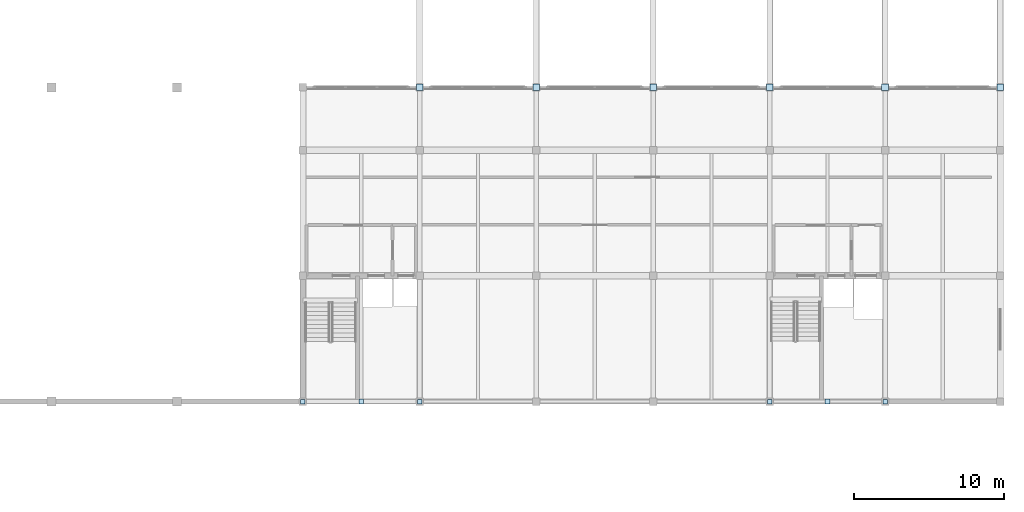
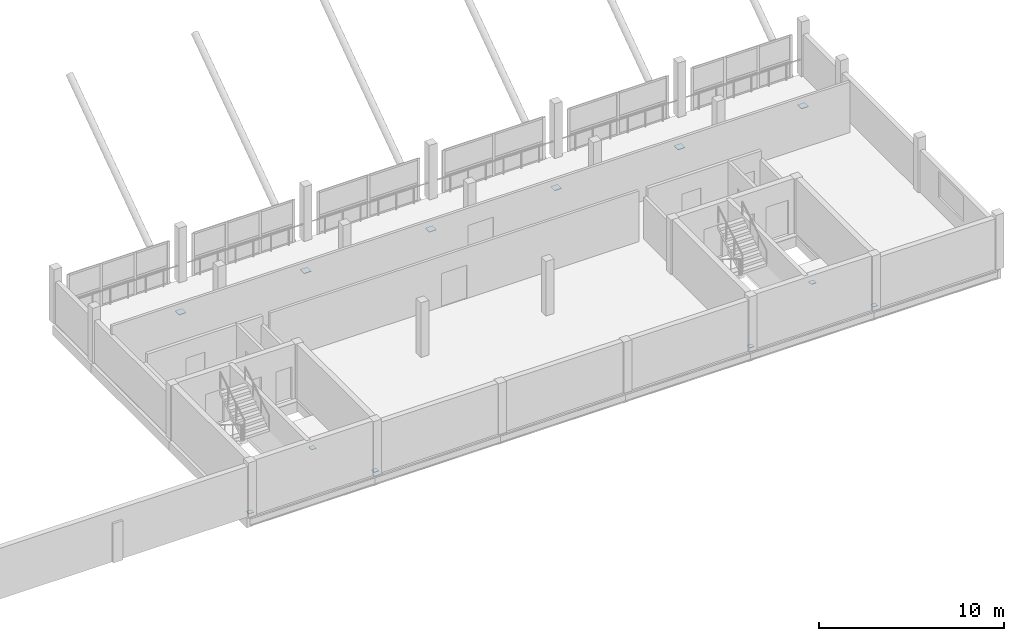
# One storey, part 34 of 51: 12 plates.
"""IFC4 building model written with IfcOpenShell, lengths in metres."""

import ifcopenshell
import ifcopenshell.guid

model = None  # the IFC model being written
_history = None  # IfcOwnerHistory: only IFC2X3 demands one
_inside = {}  # id of a spatial element -> (the spatial element, [elements in it])
_under = {}  # id of a project, library or spatial element -> (it, [spatial elements below it])
_declared = {}  # id of a project -> (the project, [libraries it declares])
_typed = {}  # id of a type object -> (the type object, [elements of that type])
_made_of = {}  # id of a material, layer set ... -> (it, [elements and type objects made of it])


def new_model(schema):
    """Start an empty IFC model of exactly this schema.

    Asked for "IFC4X3", IfcOpenShell would pick the latest addendum, in which some entities
    have other attributes; the version numbers below select the first issue.
    IFC2X3 requires an IfcOwnerHistory on every rooted entity: one is made here for all.
    """
    global model, _history
    if schema == "IFC4X3":
        model = ifcopenshell.file(schema_version=(4, 3, 0, 0))
    else:
        model = ifcopenshell.file(schema=schema)
    _inside.clear()
    _under.clear()
    _declared.clear()
    _typed.clear()
    _made_of.clear()
    _history = None
    if model.schema == "IFC2X3":
        org = make("IfcOrganization", Name="unknown")
        user = make(
            "IfcPersonAndOrganization",
            ThePerson=make("IfcPerson", FamilyName="unknown"),
            TheOrganization=org,
        )
        app = make(
            "IfcApplication",
            ApplicationDeveloper=org,
            Version="unknown",
            ApplicationFullName="unknown",
            ApplicationIdentifier="unknown",
        )
        _history = make(
            "IfcOwnerHistory",
            OwningUser=user,
            OwningApplication=app,
            ChangeAction="ADDED",
            CreationDate=0,
        )
    return model


def make(cls, **values):
    """One entity of the class cls with the attributes given. An attribute that is None is left unset."""
    return model.create_entity(
        cls, **{name: value for name, value in values.items() if value is not None}
    )


def rooted(cls, **values):
    """An entity with a GlobalId (a new one), such as an element, a storey or a relation."""
    return make(cls, GlobalId=ifcopenshell.guid.new(), OwnerHistory=_history, **values)


def si_unit(unit_type, name, prefix=None):
    """IfcSIUnit, for example si_unit("LENGTHUNIT", "METRE", prefix="MILLI")."""
    return make("IfcSIUnit", UnitType=unit_type, Prefix=prefix, Name=name)


def assignment(units):
    """IfcUnitAssignment: the units of a project."""
    return None if units is None else make("IfcUnitAssignment", Units=units)


def point(xyz):
    """IfcCartesianPoint."""
    return None if xyz is None else make("IfcCartesianPoint", Coordinates=xyz)


def direction(xyz):
    """IfcDirection."""
    return None if xyz is None else make("IfcDirection", DirectionRatios=xyz)


def frame(location, z_axis=None, x_axis=None):
    """IfcAxis2Placement3D, a coordinate frame: its origin and axes. An axis left out is left unset."""
    return make(
        "IfcAxis2Placement3D",
        Location=point(location),
        Axis=direction(z_axis),
        RefDirection=direction(x_axis),
    )


def frame_2d(location, x_axis=None):
    """IfcAxis2Placement2D, a coordinate frame in the plane: its origin and x axis."""
    return make(
        "IfcAxis2Placement2D", Location=point(location), RefDirection=direction(x_axis)
    )


def origin():
    """The frame at (0, 0, 0) with its axes left unset."""
    return frame((0.0, 0.0, 0.0))


def origin_2d():
    """The frame at (0, 0) in the plane with its x axis left unset."""
    return frame_2d((0.0, 0.0))


def place(relative_to, where):
    """IfcLocalPlacement: puts the frame where relative to a parent placement (None: the world)."""
    return make(
        "IfcLocalPlacement", PlacementRelTo=relative_to, RelativePlacement=where
    )


def context(
    kind, dimensions, precision=None, world=None, true_north=None, identifier=None
):
    """IfcGeometricRepresentationContext, for example the 3D "Model" context."""
    return make(
        "IfcGeometricRepresentationContext",
        ContextIdentifier=identifier,
        ContextType=kind,
        CoordinateSpaceDimension=dimensions,
        Precision=precision,
        WorldCoordinateSystem=world,
        TrueNorth=true_north,
    )


def subcontext(parent, identifier, kind, view, scale=None):
    """IfcGeometricRepresentationSubContext, for example "Body" below "Model"."""
    return make(
        "IfcGeometricRepresentationSubContext",
        ContextIdentifier=identifier,
        ContextType=kind,
        ParentContext=parent,
        TargetScale=scale,
        TargetView=view,
    )


def project(units=None, contexts=None):
    """IfcProject with its units and contexts."""
    return rooted(
        "IfcProject",
        Name="project",
        RepresentationContexts=contexts,
        UnitsInContext=assignment(units),
    )


def spatial(cls, under=None, at=None, **own):
    """A site, building, storey or space (cls), placed at a placement, below another one or the project."""
    s = rooted(cls, ObjectPlacement=at, **own)
    if under is not None:
        _under.setdefault(under.id(), (under, []))[1].append(s)
    return s


def profile(cls, at=None, kind="AREA", **sizes):
    """A parametric profile (cls). Its sizes go by their IFC names, for example OverallWidth=200.0."""
    return make(cls, ProfileType=kind, Position=at, **sizes)


def rectangle(**sizes):
    """IfcRectangleProfileDef."""
    return profile("IfcRectangleProfileDef", **sizes)


def extrude(swept, where, along, depth):
    """IfcExtrudedAreaSolid: the profile swept, set in the frame where, extruded along a direction by depth."""
    return make(
        "IfcExtrudedAreaSolid",
        SweptArea=swept,
        Position=where,
        ExtrudedDirection=direction(along),
        Depth=depth,
    )


def shape(context_of_items, identifier, shape_type, items):
    """IfcShapeRepresentation: the items that make up one representation, for example the "Body"."""
    return make(
        "IfcShapeRepresentation",
        ContextOfItems=context_of_items,
        RepresentationIdentifier=identifier,
        RepresentationType=shape_type,
        Items=items,
    )


def material(Name=None, Category=None):
    """IfcMaterial."""
    return make("IfcMaterial", Name=Name, Category=Category)


def layer(
    of_material, thickness, ventilated=None, Name=None, Category=None, Priority=None
):
    """IfcMaterialLayer: one layer of a wall or slab, of a material (None: an air gap)."""
    return make(
        "IfcMaterialLayer",
        Material=of_material,
        LayerThickness=thickness,
        IsVentilated=ventilated,
        Name=Name,
        Category=Category,
        Priority=Priority,
    )


def layer_set(layers, Name=None):
    """IfcMaterialLayerSet."""
    return make("IfcMaterialLayerSet", MaterialLayers=layers, LayerSetName=Name)


def made_of(thing, what):
    """Note that an element or type object is made of a material, layer set ...; save() writes the relation."""
    if what is not None:
        _made_of.setdefault(what.id(), (what, []))[1].append(thing)
    return thing


def type_object(cls, material=None, **own):
    """A type object (cls), such as IfcWallType, which elements share."""
    return made_of(rooted(cls, **own), material)


def element(
    cls,
    number,
    at=None,
    inside=None,
    cuts=None,
    type_object=None,
    material=None,
    context=None,
    identifier="Body",
    shape_type=None,
    held_by="IfcProductDefinitionShape",
    body=None,
    shapes=None,
    **own,
):
    """One element of the class cls, such as IfcWall. Its Tag is "e" and its number.

    at: its placement. inside: the storey or other place that contains it. cuts: it is an
    opening in that element (IfcRelVoidsElement). A single representation is given by context,
    identifier, shape_type and body (its items); several are given by shapes. held_by: the class
    of the entity that holds the representations. save() writes the other relations.
    """
    e = rooted(cls, Tag="e%d" % number, ObjectPlacement=at, **own)
    if body is not None:
        shapes = [shape(context, identifier, shape_type, body)]
    if shapes is not None:
        e.Representation = make(held_by, Representations=shapes)
    if inside is not None:
        _inside.setdefault(inside.id(), (inside, []))[1].append(e)
    if cuts is not None:
        rooted(
            "IfcRelVoidsElement", RelatingBuildingElement=cuts, RelatedOpeningElement=e
        )
    if type_object is not None:
        _typed.setdefault(type_object.id(), (type_object, []))[1].append(e)
    return made_of(e, material)


def aggregate(whole, parts):
    """IfcRelAggregates: a whole, such as a stair, and the parts it consists of."""
    return rooted("IfcRelAggregates", RelatingObject=whole, RelatedObjects=parts)


def save(model, path):
    """Write the relations noted so far, then the file.

    IfcRelAggregates (storeys below a building ...), IfcRelContainedInSpatialStructure (elements
    in a storey), IfcRelDefinesByType, IfcRelAssociatesMaterial and IfcRelDeclares: one each for
    every whole, place, type object, material and project.
    """
    for whole, parts in _under.values():
        aggregate(whole, parts)
    for where, things in _inside.values():
        rooted(
            "IfcRelContainedInSpatialStructure",
            RelatedElements=things,
            RelatingStructure=where,
        )
    for kind, things in _typed.values():
        rooted("IfcRelDefinesByType", RelatedObjects=things, RelatingType=kind)
    for what, things in _made_of.values():
        rooted("IfcRelAssociatesMaterial", RelatedObjects=things, RelatingMaterial=what)
    for by, libraries in _declared.values():
        rooted("IfcRelDeclares", RelatingContext=by, RelatedDefinitions=libraries)
    model.write(path)


model = new_model("IFC4")

# Units and contexts
model_context = context("Model", 3, precision=1e-05, world=origin(), true_north=direction((0.0, 1.0)))
body_context = subcontext(model_context, "Body", "Model", "MODEL_VIEW")
ifc_project = project(units=[si_unit("LENGTHUNIT", "METRE"), si_unit("AREAUNIT", "SQUARE_METRE"), si_unit("VOLUMEUNIT", "CUBIC_METRE"), si_unit("PLANEANGLEUNIT", "RADIAN"), si_unit("MASSUNIT", "GRAM", prefix="KILO")], contexts=[model_context])

# Site, building, storey
site_placement = place(None, origin())
site = spatial("IfcSite", under=ifc_project, at=site_placement, CompositionType="ELEMENT")
building_placement = place(site_placement, origin())
building = spatial("IfcBuilding", under=site, at=building_placement, Name="Vharandega Faculty of Natural Sciences", CompositionType="ELEMENT")
storey_placement = place(building_placement, frame((0.0, 0.0, 14.39990234375)))
storey = spatial("IfcBuildingStorey", under=building, at=storey_placement, Name="L03", CompositionType="ELEMENT", Elevation=14.39990234375)

# Plates
ifc_material_1 = material(Name="Steel S355", Category="steel")
ifc_layer_1 = layer(ifc_material_1, 0.02490234375, Name="Steel S355")
ifc_layer_set_1 = layer_set([ifc_layer_1], Name="Steel S355")
plate_type_1 = type_object("IfcPlateType", Name="Hollow Section End Cap Plate 25mm", PredefinedType="USERDEFINED", material=ifc_layer_set_1)
plate_1_placement = place(storey_placement, frame((114.800048828125, 64.0, 0.1376953125), z_axis=(0.0, 0.0, 1.0), x_axis=(1.0, 0.0, 0.0)))
element("IfcPlate", 1, at=plate_1_placement, inside=storey, type_object=plate_type_1, Name="Node Cap Plate CHV-J-L03 #62", ObjectType="CAP PLATE", PredefinedType="USERDEFINED", context=body_context, shape_type="SweptSolid", body=[
    extrude(rectangle(XDim=0.300048828125, YDim=0.300048828125, at=origin_2d()), origin(), (0.0, 0.0, 1.0), 0.02490234375),
])
plate_2_placement = place(storey_placement, frame((118.699951171875, 64.0, 2.99755859375), z_axis=(0.0, 0.0, 1.0), x_axis=(1.0, 0.0, 0.0)))
element("IfcPlate", 2, at=plate_2_placement, inside=storey, type_object=plate_type_1, Name="Node Cap Plate CHV-J-L03 #63", ObjectType="CAP PLATE", PredefinedType="USERDEFINED", context=body_context, shape_type="SweptSolid", body=[
    extrude(rectangle(XDim=0.320068359375, YDim=0.320068359375, at=origin_2d()), origin(), (0.0, 0.0, 1.0), 0.02490234375),
])
for number, where, z_axis, x_axis, name in (
    (3, (122.60009765625, 64.0, 0.1376953125), (0.0, 0.0, 1.0), (1.0, 0.0, 0.0), "Node Cap Plate CHV-J-L03 #64"),
    (4, (146.0, 64.0, 0.1376953125), (0.0, 0.0, 1.0), (1.0, 0.0, 0.0), "Node Cap Plate CHV-J2-L03 #92"),
):
    element("IfcPlate", number, at=place(storey_placement, frame(where, z_axis=z_axis, x_axis=x_axis)), inside=storey, type_object=plate_type_1, Name=name, ObjectType="CAP PLATE", PredefinedType="USERDEFINED", context=body_context, shape_type="SweptSolid", body=[
        extrude(rectangle(XDim=0.300048828125, YDim=0.300048828125, at=origin_2d()), origin(), (0.0, 0.0, 1.0), 0.02490234375),
    ])
plate_3_placement = place(storey_placement, frame((149.85009765625, 64.0, 2.99755859375), z_axis=(0.0, 0.0, 1.0), x_axis=(1.0, 0.0, 0.0)))
element("IfcPlate", 5, at=plate_3_placement, inside=storey, type_object=plate_type_1, Name="Node Cap Plate CHV-J2-L03 #93", ObjectType="CAP PLATE", PredefinedType="USERDEFINED", context=body_context, shape_type="SweptSolid", body=[
    extrude(rectangle(XDim=0.320068359375, YDim=0.320068359375, at=origin_2d()), origin(), (0.0, 0.0, 1.0), 0.02490234375),
])
plate_4_placement = place(storey_placement, frame((153.699951171875, 64.0, 0.1376953125), z_axis=(0.0, 0.0, 1.0), x_axis=(1.0, 0.0, 0.0)))
element("IfcPlate", 6, at=plate_4_placement, inside=storey, type_object=plate_type_1, Name="Node Cap Plate CHV-J2-L03 #94", ObjectType="CAP PLATE", PredefinedType="USERDEFINED", context=body_context, shape_type="SweptSolid", body=[
    extrude(rectangle(XDim=0.300048828125, YDim=0.300048828125, at=origin_2d()), origin(), (0.0, 0.0, 1.0), 0.02490234375),
])
ifc_material_2 = material(Name="Steel S355", Category="steel")
ifc_layer_2 = layer(ifc_material_2, 0.030029296875, Name="Steel S355")
ifc_layer_set_2 = layer_set([ifc_layer_2], Name="Steel S355")
plate_type_2 = type_object("IfcPlateType", Name="Truss Node Gusset Plate 30mm", PredefinedType="SHEET", material=ifc_layer_set_2)
for number, where, z_axis, x_axis, name in (
    (7, (122.60009765625, 85.0, -2.15478515625), (0.0, 0.0, 1.0), (1.0, 0.0, 0.0), "Node Cap Plate VS-16 #6"),
    (8, (130.39990234375, 85.0, -2.15478515625), (0.0, 0.0, 1.0), (1.0, 0.0, 0.0), "Node Cap Plate VS-17 #13"),
    (9, (138.199951171875, 85.0, -2.15478515625), (0.0, 0.0, 1.0), (1.0, 0.0, 0.0), "Node Cap Plate VS-18 #20"),
    (10, (146.0, 85.0, -2.15478515625), (0.0, 0.0, 1.0), (1.0, 0.0, 0.0), "Node Cap Plate VS-19 #27"),
    (11, (153.699951171875, 85.0, -2.15478515625), (0.0, 0.0, 1.0), (1.0, 0.0, 0.0), "Node Cap Plate VS-20 #34"),
    (12, (161.39990234375, 85.0, -2.15478515625), (0.0, 0.0, 1.0), (1.0, 0.0, 0.0), "Node Cap Plate VS-21 #41"),
):
    element("IfcPlate", number, at=place(storey_placement, frame(where, z_axis=z_axis, x_axis=x_axis)), inside=storey, type_object=plate_type_2, Name=name, PredefinedType="SHEET", context=body_context, shape_type="SweptSolid", body=[
        extrude(rectangle(XDim=0.43994140625, YDim=0.43994140625, at=origin_2d()), origin(), (0.0, 0.0, 1.0), 0.030029296875),
    ])

save(model, "model.ifc")
